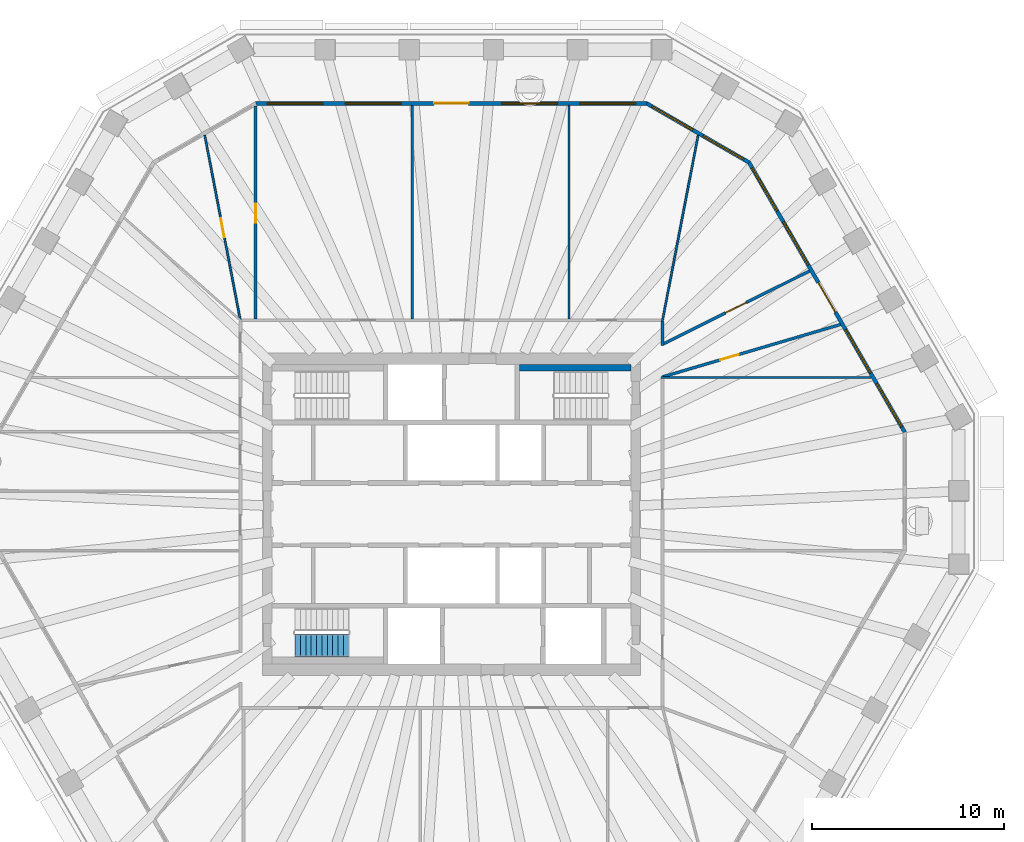
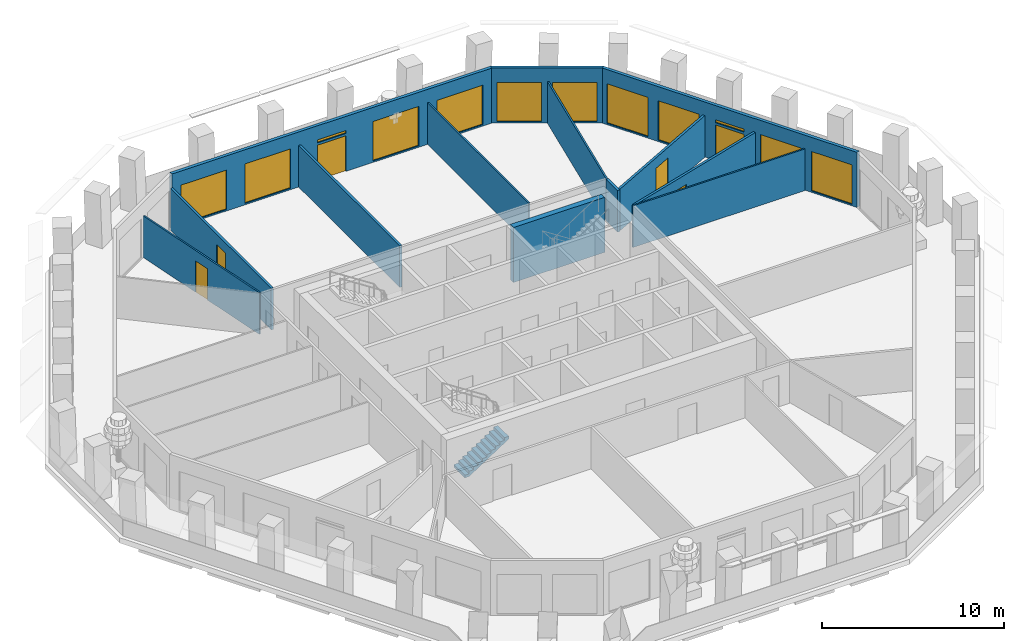
# One storey, part 7 of 12: 13 walls, 12 windows, 6 doors, 1 stair flight, 18 openings, 1 element without a shape of its own.
"""IFC4 building model written with IfcOpenShell, lengths in metres."""

from ifc_helpers import new_model, si_unit, direction, frame, frame_2d, origin, place, context, subcontext, project, spatial, polyline, rectangle, outline, extrude, material, layer, layer_set, type_object, element, fill, aggregate, save


model = new_model("IFC4")

# Units and contexts
model_context = context("Model", 3, precision=1e-05, world=origin(), true_north=direction((0.0, 1.0)))
body_context = subcontext(model_context, "Body", "Model", "MODEL_VIEW")
ifc_project = project(units=[si_unit("LENGTHUNIT", "METRE"), si_unit("AREAUNIT", "SQUARE_METRE"), si_unit("VOLUMEUNIT", "CUBIC_METRE"), si_unit("PLANEANGLEUNIT", "RADIAN"), si_unit("MASSUNIT", "GRAM", prefix="KILO")], contexts=[model_context])

# Site, building, storey
site_placement = place(None, origin())
site = spatial("IfcSite", under=ifc_project, at=site_placement, CompositionType="ELEMENT")
building_placement = place(site_placement, origin())
building = spatial("IfcBuilding", under=site, at=building_placement, Name="Frailejon Research Tower", CompositionType="ELEMENT")
storey_placement = place(building_placement, frame((0.0, 0.0, 249.39990234375)))
storey = spatial("IfcBuildingStorey", under=building, at=storey_placement, Name="L54", CompositionType="ELEMENT", Elevation=249.39990234375)

# Wall, opening, door
ifc_material_1 = material(Name="Gypsum board and masonry partition", Category="masonry")
ifc_layer_1 = layer(ifc_material_1, 0.14990234375)
ifc_layer_set_1 = layer_set([ifc_layer_1], Name="Corridor wall EI 60, gypsum on steel studs 150")
wall_type_1 = type_object("IfcWallType", Name="Corridor wall EI 60, gypsum on steel studs 150", PredefinedType="PARTITIONING", material=ifc_layer_set_1)
wall_1_placement = place(storey_placement, frame((11.0, 7.14990234375, 0.0), z_axis=(0.0, 0.0, 1.0), x_axis=(0.959291851816, 0.282416612542, 0.0)))
wall_1 = element("IfcWall", 1, at=wall_1_placement, inside=storey, type_object=wall_type_1, Name="T:IW:L54:001", PredefinedType="PARTITIONING", context=body_context, shape_type="SweptSolid", body=[
    extrude(rectangle(XDim=9.663818359375, YDim=0.14990234375, at=frame_2d((4.83203125, 0.0))), origin(), (0.0, 0.0, 1.0), 2.800048828125),
])
opening_1_placement = place(wall_1_placement, frame((3.13720703125, 0.0, 0.0)))
opening_1 = element("IfcOpeningElement", 2, at=opening_1_placement, cuts=wall_1, Name="Opening D2052", PredefinedType="OPENING", context=body_context, shape_type="SweptSolid", body=[
    extrude(rectangle(XDim=1.0, YDim=2.10009765625, at=frame_2d((0.5, 1.050048828125))), frame((0.0, 0.0849609375, 0.0), z_axis=(0.0, -1.0, 0.0), x_axis=(1.0, 0.0, 0.0)), (0.0, 0.0, 1.0), 0.169921875),
])
ifc_material_2 = material(Name="Timber door leaf", Category="wood")
door_type_1 = type_object("IfcDoorType", Name="Door single leaf, timber, steel frame 1000", OperationType="NOTDEFINED", PredefinedType="DOOR", material=ifc_material_2)
door_1_placement = place(opening_1_placement, origin())
door_1 = element("IfcDoor", 3, at=door_1_placement, inside=storey, type_object=door_type_1, Name="D2052", OperationType="SINGLE_SWING_RIGHT", OverallHeight=2.10009765625, OverallWidth=1.0, PredefinedType="DOOR", context=body_context, shape_type="SweptSolid", body=[
    extrude(rectangle(XDim=1.0, YDim=2.10009765625, at=frame_2d((0.5, 1.050048828125))), frame((0.0, 0.02490234375, 0.0), z_axis=(0.0, -1.0, 0.0), x_axis=(1.0, 0.0, 0.0)), (0.0, 0.0, 1.0), 0.050048828125),
])
fill(opening_1, door_1)

wall_2_placement = place(storey_placement, frame((11.067138671875, 8.883544921875, 0.0), z_axis=(0.0, 0.0, 1.0), x_axis=(0.895013465437, 0.44603912013, 0.0)))
wall_2 = element("IfcWall", 4, at=wall_2_placement, inside=storey, type_object=wall_type_1, Name="T:IW:L54:002", PredefinedType="PARTITIONING", context=body_context, shape_type="SweptSolid", body=[
    extrude(rectangle(XDim=8.48388671875, YDim=0.14990234375, at=frame_2d((4.241943359375, 0.0))), origin(), (0.0, 0.0, 1.0), 2.800048828125),
])
opening_2_placement = place(wall_2_placement, frame((3.6044921875, 0.0, 0.0)))
opening_2 = element("IfcOpeningElement", 5, at=opening_2_placement, cuts=wall_2, Name="Opening D2053", PredefinedType="OPENING", context=body_context, shape_type="SweptSolid", body=[
    extrude(rectangle(XDim=1.199951171875, YDim=2.10009765625, at=frame_2d((0.60009765625, 1.050048828125))), frame((0.0, 0.0849609375, 0.0), z_axis=(0.0, -1.0, 0.0), x_axis=(1.0, 0.0, 0.0)), (0.0, 0.0, 1.0), 0.169921875),
])
ifc_material_3 = material(Name="Timber door leaf", Category="wood")
door_type_2 = type_object("IfcDoorType", Name="Door single leaf, timber, steel frame 1200", OperationType="NOTDEFINED", PredefinedType="DOOR", material=ifc_material_3)
door_2_placement = place(opening_2_placement, origin())
door_2 = element("IfcDoor", 6, at=door_2_placement, inside=storey, type_object=door_type_2, Name="D2053", OperationType="DOUBLE_DOOR_SINGLE_SWING", OverallHeight=2.10009765625, OverallWidth=1.199951171875, PredefinedType="DOOR", context=body_context, shape_type="SweptSolid", body=[
    extrude(rectangle(XDim=1.199951171875, YDim=2.10009765625, at=frame_2d((0.60009765625, 1.050048828125))), frame((0.0, 0.02490234375, 0.0), z_axis=(0.0, -1.0, 0.0), x_axis=(1.0, 0.0, 0.0)), (0.0, 0.0, 1.0), 0.050048828125),
])
fill(opening_2, door_2)

# Walls
wall_3_placement = place(storey_placement, frame((11.0, 8.77490234375, 0.0), z_axis=(0.0, 0.0, 1.0), x_axis=(0.0, 1.0, 0.0)))
element("IfcWall", 7, at=wall_3_placement, inside=storey, type_object=wall_type_1, Name="T:IW:L54:006", PredefinedType="PARTITIONING", context=body_context, shape_type="SweptSolid", body=[
    extrude(rectangle(XDim=1.25, YDim=0.14990234375, at=frame_2d((0.625, 0.0))), origin(), (0.0, 0.0, 1.0), 2.800048828125),
])
ifc_material_4 = material(Name="Gypsum board and masonry partition", Category="masonry")
ifc_layer_2 = layer(ifc_material_4, 0.14990234375)
ifc_layer_set_2 = layer_set([ifc_layer_2], Name="Laboratory partition, blockwork 150")
wall_type_2 = type_object("IfcWallType", Name="Laboratory partition, blockwork 150", PredefinedType="PARTITIONING", material=ifc_layer_set_2)
wall_4_placement = place(storey_placement, frame((-2.041748046875, 10.175048828125, 0.0), z_axis=(0.0, 0.0, 1.0), x_axis=(0.0, 1.0, 0.0)))
element("IfcWall", 8, at=wall_4_placement, inside=storey, type_object=wall_type_2, Name="T:IW:L54:012", PredefinedType="PARTITIONING", context=body_context, shape_type="SweptSolid", body=[
    extrude(rectangle(XDim=11.125, YDim=0.14990234375, at=frame_2d((5.5625, 0.0))), origin(), (0.0, 0.0, 1.0), 2.800048828125),
])

# Wall, opening, door
wall_5_placement = place(storey_placement, frame((-10.20849609375, 10.175048828125, 0.0), z_axis=(0.0, 0.0, 1.0), x_axis=(0.0, 1.0, 0.0)))
wall_5 = element("IfcWall", 9, at=wall_5_placement, inside=storey, type_object=wall_type_2, Name="T:IW:L54:013", PredefinedType="PARTITIONING", context=body_context, shape_type="SweptSolid", body=[
    extrude(rectangle(XDim=11.093994140625, YDim=0.14990234375, at=frame_2d((5.546875, 0.0))), origin(), (0.0, 0.0, 1.0), 2.800048828125),
])
opening_3_placement = place(wall_5_placement, frame((5.009521484375, 0.0, 0.0)))
opening_3 = element("IfcOpeningElement", 10, at=opening_3_placement, cuts=wall_5, Name="Opening D2057", PredefinedType="OPENING", context=body_context, shape_type="SweptSolid", body=[
    extrude(rectangle(XDim=1.0, YDim=2.10009765625, at=frame_2d((0.5, 1.050048828125))), frame((0.0, 0.0849609375, 0.0), z_axis=(0.0, -1.0, 0.0), x_axis=(1.0, 0.0, 0.0)), (0.0, 0.0, 1.0), 0.169921875),
])
door_3_placement = place(opening_3_placement, origin())
door_3 = element("IfcDoor", 11, at=door_3_placement, inside=storey, type_object=door_type_1, Name="D2057", OperationType="SINGLE_SWING_LEFT", OverallHeight=2.10009765625, OverallWidth=1.0, PredefinedType="DOOR", context=body_context, shape_type="SweptSolid", body=[
    extrude(rectangle(XDim=1.0, YDim=2.10009765625, at=frame_2d((0.5, 1.050048828125))), frame((0.0, 0.02490234375, 0.0), z_axis=(0.0, -1.0, 0.0), x_axis=(1.0, 0.0, 0.0)), (0.0, 0.0, 1.0), 0.050048828125),
])
fill(opening_3, door_3)

# Walls
ifc_material_5 = material(Name="Gypsum board and masonry partition", Category="masonry")
ifc_layer_3 = layer(ifc_material_5, 0.10009765625)
ifc_layer_set_3 = layer_set([ifc_layer_3], Name="Partition, gypsum on steel studs 100")
wall_type_3 = type_object("IfcWallType", Name="Partition, gypsum on steel studs 100", PredefinedType="PARTITIONING", material=ifc_layer_set_3)
wall_6_placement = place(storey_placement, frame((10.925048828125, 7.1171875, 0.0), z_axis=(0.0, 0.0, 1.0), x_axis=(1.0, 0.0, 0.0)))
element("IfcWall", 12, at=wall_6_placement, inside=storey, type_object=wall_type_3, Name="T:IW:L54:018", PredefinedType="PARTITIONING", context=body_context, shape_type="SweptSolid", body=[
    extrude(rectangle(XDim=10.93994140625, YDim=0.10009765625, at=frame_2d((5.469970703125, 0.0))), origin(), (0.0, 0.0, 1.0), 2.800048828125),
])
wall_7_placement = place(storey_placement, frame((10.98583984375, 10.0263671875, 0.0), z_axis=(0.0, 0.0, 1.0), x_axis=(0.189067988583, 0.981963999184, 0.0)))
element("IfcWall", 13, at=wall_7_placement, inside=storey, type_object=wall_type_3, Name="T:IW:L54:019", PredefinedType="PARTITIONING", context=body_context, shape_type="SweptSolid", body=[
    extrude(rectangle(XDim=9.892578125, YDim=0.10009765625, at=frame_2d((4.9462890625, 0.0))), origin(), (0.0, 0.0, 1.0), 2.800048828125),
])
wall_8_placement = place(storey_placement, frame((6.125244140625, 10.175048828125, 0.0), z_axis=(0.0, 0.0, 1.0), x_axis=(0.0, 1.0, 0.0)))
element("IfcWall", 14, at=wall_8_placement, inside=storey, type_object=wall_type_3, Name="T:IW:L54:020", PredefinedType="PARTITIONING", context=body_context, shape_type="SweptSolid", body=[
    extrude(rectangle(XDim=11.125, YDim=0.10009765625, at=frame_2d((5.5625, 0.0))), origin(), (0.0, 0.0, 1.0), 2.800048828125),
])

# Wall, opening, door
wall_9_placement = place(storey_placement, frame((-12.856201171875, 19.740478515625, 0.0), z_axis=(0.0, 0.0, 1.0), x_axis=(0.189064323856, -0.981964704786, 0.0)))
wall_9 = element("IfcWall", 15, at=wall_9_placement, inside=storey, type_object=wall_type_3, Name="T:IW:L54:021", PredefinedType="PARTITIONING", context=body_context, shape_type="SweptSolid", body=[
    extrude(rectangle(XDim=9.767578125, YDim=0.10009765625, at=frame_2d((4.8837890625, 0.0))), origin(), (0.0, 0.0, 1.0), 2.800048828125),
])
opening_4_placement = place(wall_9_placement, frame((4.40869140625, 0.0, 0.0)))
opening_4 = element("IfcOpeningElement", 16, at=opening_4_placement, cuts=wall_9, Name="Opening D2058", PredefinedType="OPENING", context=body_context, shape_type="SweptSolid", body=[
    extrude(rectangle(XDim=1.0, YDim=2.10009765625, at=frame_2d((0.5, 1.050048828125))), frame((0.0, 0.06005859375, 0.0), z_axis=(0.0, -1.0, 0.0), x_axis=(1.0, 0.0, 0.0)), (0.0, 0.0, 1.0), 0.1201171875),
])
door_4_placement = place(opening_4_placement, origin())
door_4 = element("IfcDoor", 17, at=door_4_placement, inside=storey, type_object=door_type_1, Name="D2058", OperationType="SINGLE_SWING_RIGHT", OverallHeight=2.10009765625, OverallWidth=1.0, PredefinedType="DOOR", context=body_context, shape_type="SweptSolid", body=[
    extrude(rectangle(XDim=1.0, YDim=2.10009765625, at=frame_2d((0.5, 1.050048828125))), frame((0.0, 0.02490234375, 0.0), z_axis=(0.0, -1.0, 0.0), x_axis=(1.0, 0.0, 0.0)), (0.0, 0.0, 1.0), 0.050048828125),
])
fill(opening_4, door_4)

# Wall
ifc_material_6 = material(Name="Concrete C60/75", Category="concrete")
ifc_layer_4 = layer(ifc_material_6, 0.35009765625)
ifc_layer_set_4 = layer_set([ifc_layer_4], Name="Shaft wall 350 C60/75")
wall_type_4 = type_object("IfcWallType", Name="Shaft wall 350 C60/75", PredefinedType="SOLIDWALL", material=ifc_layer_set_4)
wall_10_placement = place(storey_placement, frame((3.550048828125, 7.625, 0.0), z_axis=(0.0, 0.0, 1.0), x_axis=(1.0, 0.0, 0.0)))
element("IfcWall", 18, at=wall_10_placement, inside=storey, type_object=wall_type_4, Name="Shaft wall", PredefinedType="SOLIDWALL", context=body_context, shape_type="SweptSolid", body=[
    extrude(rectangle(XDim=5.800048828125, YDim=0.35009765625, at=frame_2d((2.89990234375, 0.0))), origin(), (0.0, 0.0, 1.0), 3.7001953125),
])

# Wall, openings, door, windows
ifc_material_7 = material(Name="Concrete C40/50 precast window wall panel", Category="concrete")
ifc_layer_5 = layer(ifc_material_7, 0.199951171875)
ifc_layer_set_5 = layer_set([ifc_layer_5], Name="Window wall 200")
wall_type_5 = type_object("IfcWallType", Name="Window wall 200", PredefinedType="SOLIDWALL", material=ifc_layer_set_5)
wall_11_placement = place(storey_placement, frame((23.623779296875, 4.270751953125, 0.0), z_axis=(0.0, 0.0, 1.0), x_axis=(-0.499996823547, 0.866027237703, 0.0)))
wall_11 = element("IfcWall", 19, at=wall_11_placement, inside=storey, type_object=wall_type_5, Name="Exterior wall L54", PredefinedType="SOLIDWALL", context=body_context, shape_type="SweptSolid", body=[
    extrude(outline(polyline([(-0.02685546875, -0.10009765625), (0.99072265625, -0.10009765625), (2.00830078125, -0.10009765625), (3.025634765625, -0.10009765625), (4.043212890625, -0.10009765625), (5.060791015625, -0.10009765625), (6.078125, -0.10009765625), (7.095703125, -0.10009765625), (8.11328125, -0.10009765625), (9.130859375, -0.10009765625), (10.1484375, -0.10009765625), (11.165771484375, -0.10009765625), (12.183349609375, -0.10009765625), (13.200927734375, -0.10009765625), (14.21826171875, -0.10009765625), (15.23583984375, -0.10009765625), (16.25341796875, -0.10009765625), (16.19970703125, 0.10009765625), (15.18896484375, 0.10009765625), (14.17822265625, 0.10009765625), (13.167236328125, 0.10009765625), (12.156494140625, 0.10009765625), (11.145751953125, 0.10009765625), (10.134765625, 0.10009765625), (9.1240234375, 0.10009765625), (8.11328125, 0.10009765625), (7.1025390625, 0.10009765625), (6.091796875, 0.10009765625), (5.080810546875, 0.10009765625), (4.070068359375, 0.10009765625), (3.059326171875, 0.10009765625), (2.04833984375, 0.10009765625), (1.03759765625, 0.10009765625), (0.02685546875, 0.10009765625), (-0.02685546875, -0.10009765625)])), origin(), (0.0, 0.0, 1.0), 3.7001953125),
])
opening_5_placement = place(wall_11_placement, frame((0.32275390625, 0.0, 0.10009765625)))
opening_5 = element("IfcOpeningElement", 20, at=opening_5_placement, cuts=wall_11, Name="Opening W18", PredefinedType="OPENING", context=body_context, shape_type="SweptSolid", body=[
    extrude(rectangle(XDim=2.60009765625, YDim=2.64990234375, at=frame_2d((1.300048828125, 1.324951171875))), frame((0.0, 0.10986328125, 0.0), z_axis=(0.0, -1.0, 0.0), x_axis=(1.0, 0.0, 0.0)), (0.0, 0.0, 1.0), 0.219970703125),
])
opening_6_placement = place(wall_11_placement, frame((3.568115234375, 0.0, 0.10009765625)))
opening_6 = element("IfcOpeningElement", 21, at=opening_6_placement, cuts=wall_11, Name="Opening W18", PredefinedType="OPENING", context=body_context, shape_type="SweptSolid", body=[
    extrude(rectangle(XDim=2.60009765625, YDim=2.64990234375, at=frame_2d((1.300048828125, 1.324951171875))), frame((0.0, 0.10986328125, 0.0), z_axis=(0.0, -1.0, 0.0), x_axis=(1.0, 0.0, 0.0)), (0.0, 0.0, 1.0), 0.219970703125),
])
opening_7_placement = place(wall_11_placement, frame((7.21337890625, 0.0, 0.0)))
opening_7 = element("IfcOpeningElement", 22, at=opening_7_placement, cuts=wall_11, Name="Opening LG54-1", PredefinedType="OPENING", context=body_context, shape_type="SweptSolid", body=[
    extrude(rectangle(XDim=1.800048828125, YDim=2.39990234375, at=frame_2d((0.89990234375, 1.199951171875))), frame((0.0, 0.10986328125, 0.0), z_axis=(0.0, -1.0, 0.0), x_axis=(1.0, 0.0, 0.0)), (0.0, 0.0, 1.0), 0.219970703125),
])
opening_8_placement = place(wall_11_placement, frame((7.21337890625, 0.0, 2.550048828125)))
opening_8 = element("IfcOpeningElement", 23, at=opening_8_placement, cuts=wall_11, Name="Opening W19", PredefinedType="OPENING", context=body_context, shape_type="SweptSolid", body=[
    extrude(rectangle(XDim=1.800048828125, YDim=0.199951171875, at=frame_2d((0.89990234375, 0.10009765625))), frame((0.0, 0.10986328125, 0.0), z_axis=(0.0, -1.0, 0.0), x_axis=(1.0, 0.0, 0.0)), (0.0, 0.0, 1.0), 0.219970703125),
])
opening_9_placement = place(wall_11_placement, frame((10.058837890625, 0.0, 0.10009765625)))
opening_9 = element("IfcOpeningElement", 24, at=opening_9_placement, cuts=wall_11, Name="Opening W18", PredefinedType="OPENING", context=body_context, shape_type="SweptSolid", body=[
    extrude(rectangle(XDim=2.60009765625, YDim=2.64990234375, at=frame_2d((1.300048828125, 1.324951171875))), frame((0.0, 0.10986328125, 0.0), z_axis=(0.0, -1.0, 0.0), x_axis=(1.0, 0.0, 0.0)), (0.0, 0.0, 1.0), 0.219970703125),
])
opening_10_placement = place(wall_11_placement, frame((13.30419921875, 0.0, 0.10009765625)))
opening_10 = element("IfcOpeningElement", 25, at=opening_10_placement, cuts=wall_11, Name="Opening W18", PredefinedType="OPENING", context=body_context, shape_type="SweptSolid", body=[
    extrude(rectangle(XDim=2.60009765625, YDim=2.64990234375, at=frame_2d((1.300048828125, 1.324951171875))), frame((0.0, 0.10986328125, 0.0), z_axis=(0.0, -1.0, 0.0), x_axis=(1.0, 0.0, 0.0)), (0.0, 0.0, 1.0), 0.219970703125),
])
ifc_material_8 = material(Name="Aluminium framed glazed door leaf", Category="aluminium")
door_type_3 = type_object("IfcDoorType", Name="Loggia door 1800x2400", OperationType="DOUBLE_DOOR_SINGLE_SWING", PredefinedType="DOOR", material=ifc_material_8)
door_5_placement = place(opening_7_placement, origin())
door_5 = element("IfcDoor", 26, at=door_5_placement, inside=storey, type_object=door_type_3, Name="Door LG54-1", OperationType="DOUBLE_DOOR_SINGLE_SWING", OverallHeight=2.39990234375, OverallWidth=1.800048828125, PredefinedType="DOOR", context=body_context, shape_type="SweptSolid", body=[
    extrude(rectangle(XDim=1.800048828125, YDim=2.39990234375, at=frame_2d((0.89990234375, 1.199951171875))), frame((0.0, 0.02490234375, 0.0), z_axis=(0.0, -1.0, 0.0), x_axis=(1.0, 0.0, 0.0)), (0.0, 0.0, 1.0), 0.050048828125),
])
fill(opening_7, door_5)
ifc_material_9 = material(Name="Aluminium framed double glazing", Category="aluminium")
window_type_1 = type_object("IfcWindowType", Name="Window 1800x200", PartitioningType="SINGLE_PANEL", PredefinedType="WINDOW", material=ifc_material_9)
window_1_placement = place(opening_8_placement, origin())
window_1 = element("IfcWindow", 27, at=window_1_placement, inside=storey, type_object=window_type_1, Name="Window L54", OverallHeight=0.199951171875, OverallWidth=1.800048828125, PartitioningType="SINGLE_PANEL", PredefinedType="WINDOW", context=body_context, shape_type="SweptSolid", body=[
    extrude(rectangle(XDim=1.800048828125, YDim=0.199951171875, at=frame_2d((0.89990234375, 0.10009765625))), frame((0.0, 0.030029296875, 0.0), z_axis=(0.0, -1.0, 0.0), x_axis=(1.0, 0.0, 0.0)), (0.0, 0.0, 1.0), 0.06005859375),
])
fill(opening_8, window_1)
ifc_material_10 = material(Name="Aluminium framed double glazing", Category="aluminium")
window_type_2 = type_object("IfcWindowType", Name="Window 2600x2650", PartitioningType="SINGLE_PANEL", PredefinedType="WINDOW", material=ifc_material_10)
window_2_placement = place(opening_5_placement, origin())
window_2 = element("IfcWindow", 28, at=window_2_placement, inside=storey, type_object=window_type_2, Name="Window L54", OverallHeight=2.64990234375, OverallWidth=2.60009765625, PartitioningType="SINGLE_PANEL", PredefinedType="WINDOW", context=body_context, shape_type="SweptSolid", body=[
    extrude(rectangle(XDim=2.60009765625, YDim=2.64990234375, at=frame_2d((1.300048828125, 1.324951171875))), frame((0.0, 0.030029296875, 0.0), z_axis=(0.0, -1.0, 0.0), x_axis=(1.0, 0.0, 0.0)), (0.0, 0.0, 1.0), 0.06005859375),
])
fill(opening_5, window_2)
window_3_placement = place(opening_6_placement, origin())
window_3 = element("IfcWindow", 29, at=window_3_placement, inside=storey, type_object=window_type_2, Name="Window L54", OverallHeight=2.64990234375, OverallWidth=2.60009765625, PartitioningType="SINGLE_PANEL", PredefinedType="WINDOW", context=body_context, shape_type="SweptSolid", body=[
    extrude(rectangle(XDim=2.60009765625, YDim=2.64990234375, at=frame_2d((1.300048828125, 1.324951171875))), frame((0.0, 0.030029296875, 0.0), z_axis=(0.0, -1.0, 0.0), x_axis=(1.0, 0.0, 0.0)), (0.0, 0.0, 1.0), 0.06005859375),
])
fill(opening_6, window_3)
window_4_placement = place(opening_9_placement, origin())
window_4 = element("IfcWindow", 30, at=window_4_placement, inside=storey, type_object=window_type_2, Name="Window L54", OverallHeight=2.64990234375, OverallWidth=2.60009765625, PartitioningType="SINGLE_PANEL", PredefinedType="WINDOW", context=body_context, shape_type="SweptSolid", body=[
    extrude(rectangle(XDim=2.60009765625, YDim=2.64990234375, at=frame_2d((1.300048828125, 1.324951171875))), frame((0.0, 0.030029296875, 0.0), z_axis=(0.0, -1.0, 0.0), x_axis=(1.0, 0.0, 0.0)), (0.0, 0.0, 1.0), 0.06005859375),
])
fill(opening_9, window_4)
window_5_placement = place(opening_10_placement, origin())
window_5 = element("IfcWindow", 31, at=window_5_placement, inside=storey, type_object=window_type_2, Name="Window L54", OverallHeight=2.64990234375, OverallWidth=2.60009765625, PartitioningType="SINGLE_PANEL", PredefinedType="WINDOW", context=body_context, shape_type="SweptSolid", body=[
    extrude(rectangle(XDim=2.60009765625, YDim=2.64990234375, at=frame_2d((1.300048828125, 1.324951171875))), frame((0.0, 0.030029296875, 0.0), z_axis=(0.0, -1.0, 0.0), x_axis=(1.0, 0.0, 0.0)), (0.0, 0.0, 1.0), 0.06005859375),
])
fill(opening_10, window_5)

# Wall, openings, windows
wall_12_placement = place(storey_placement, frame((15.510498046875, 18.323486328125, 0.0), z_axis=(0.0, 0.0, 1.0), x_axis=(-0.866029647142, 0.499992650217, 0.0)))
wall_12 = element("IfcWall", 32, at=wall_12_placement, inside=storey, type_object=wall_type_5, Name="Exterior wall L54", PredefinedType="SOLIDWALL", context=body_context, shape_type="SweptSolid", body=[
    extrude(outline(polyline([(-0.02685546875, -0.10009765625), (1.007568359375, -0.10009765625), (2.0419921875, -0.10009765625), (3.076416015625, -0.10009765625), (4.11083984375, -0.10009765625), (5.145263671875, -0.10009765625), (6.1796875, -0.10009765625), (6.1259765625, 0.10009765625), (5.109375, 0.10009765625), (4.093017578125, 0.10009765625), (3.076416015625, 0.10009765625), (2.059814453125, 0.10009765625), (1.04345703125, 0.10009765625), (0.02685546875, 0.10009765625), (-0.02685546875, -0.10009765625)])), origin(), (0.0, 0.0, 1.0), 3.7001953125),
])
opening_11_placement = place(wall_12_placement, frame((0.313232421875, 0.0, 0.10009765625)))
opening_11 = element("IfcOpeningElement", 33, at=opening_11_placement, cuts=wall_12, Name="Opening W17", PredefinedType="OPENING", context=body_context, shape_type="SweptSolid", body=[
    extrude(rectangle(XDim=2.449951171875, YDim=2.64990234375, at=frame_2d((1.22509765625, 1.324951171875))), frame((0.0, 0.10986328125, 0.0), z_axis=(0.0, -1.0, 0.0), x_axis=(1.0, 0.0, 0.0)), (0.0, 0.0, 1.0), 0.219970703125),
])
opening_12_placement = place(wall_12_placement, frame((3.3896484375, 0.0, 0.10009765625)))
opening_12 = element("IfcOpeningElement", 34, at=opening_12_placement, cuts=wall_12, Name="Opening W17", PredefinedType="OPENING", context=body_context, shape_type="SweptSolid", body=[
    extrude(rectangle(XDim=2.449951171875, YDim=2.64990234375, at=frame_2d((1.22509765625, 1.324951171875))), frame((0.0, 0.10986328125, 0.0), z_axis=(0.0, -1.0, 0.0), x_axis=(1.0, 0.0, 0.0)), (0.0, 0.0, 1.0), 0.219970703125),
])
ifc_material_11 = material(Name="Aluminium framed double glazing", Category="aluminium")
window_type_3 = type_object("IfcWindowType", Name="Window 2450x2650", PartitioningType="SINGLE_PANEL", PredefinedType="WINDOW", material=ifc_material_11)
window_6_placement = place(opening_11_placement, origin())
window_6 = element("IfcWindow", 35, at=window_6_placement, inside=storey, type_object=window_type_3, Name="Window L54", OverallHeight=2.64990234375, OverallWidth=2.449951171875, PartitioningType="SINGLE_PANEL", PredefinedType="WINDOW", context=body_context, shape_type="SweptSolid", body=[
    extrude(rectangle(XDim=2.449951171875, YDim=2.64990234375, at=frame_2d((1.22509765625, 1.324951171875))), frame((0.0, 0.030029296875, 0.0), z_axis=(0.0, -1.0, 0.0), x_axis=(1.0, 0.0, 0.0)), (0.0, 0.0, 1.0), 0.06005859375),
])
fill(opening_11, window_6)
window_7_placement = place(opening_12_placement, origin())
window_7 = element("IfcWindow", 36, at=window_7_placement, inside=storey, type_object=window_type_3, Name="Window L54", OverallHeight=2.64990234375, OverallWidth=2.449951171875, PartitioningType="SINGLE_PANEL", PredefinedType="WINDOW", context=body_context, shape_type="SweptSolid", body=[
    extrude(rectangle(XDim=2.449951171875, YDim=2.64990234375, at=frame_2d((1.22509765625, 1.324951171875))), frame((0.0, 0.030029296875, 0.0), z_axis=(0.0, -1.0, 0.0), x_axis=(1.0, 0.0, 0.0)), (0.0, 0.0, 1.0), 0.06005859375),
])
fill(opening_12, window_7)

# Wall, openings, door, windows
wall_13_placement = place(storey_placement, frame((10.181884765625, 21.39990234375, 0.0), z_axis=(0.0, 0.0, 1.0), x_axis=(-1.0, 0.0, 0.0)))
wall_13 = element("IfcWall", 37, at=wall_13_placement, inside=storey, type_object=wall_type_5, Name="Exterior wall L54", PredefinedType="SOLIDWALL", context=body_context, shape_type="SweptSolid", body=[
    extrude(outline(polyline([(-0.02685546875, -0.10009765625), (0.994140625, -0.10009765625), (2.014892578125, -0.10009765625), (3.03564453125, -0.10009765625), (4.056640625, -0.10009765625), (5.07763671875, -0.10009765625), (6.098388671875, -0.10009765625), (7.119140625, -0.10009765625), (8.14013671875, -0.10009765625), (9.1611328125, -0.10009765625), (10.181884765625, -0.10009765625), (11.20263671875, -0.10009765625), (12.2236328125, -0.10009765625), (13.24462890625, -0.10009765625), (14.265380859375, -0.10009765625), (15.2861328125, -0.10009765625), (16.30712890625, -0.10009765625), (17.328125, -0.10009765625), (18.348876953125, -0.10009765625), (19.36962890625, -0.10009765625), (20.390625, -0.10009765625), (20.3369140625, 0.10009765625), (19.3212890625, 0.10009765625), (18.305908203125, 0.10009765625), (17.29052734375, 0.10009765625), (16.27490234375, 0.10009765625), (15.25927734375, 0.10009765625), (14.243896484375, 0.10009765625), (13.228515625, 0.10009765625), (12.212890625, 0.10009765625), (11.197265625, 0.10009765625), (10.181884765625, 0.10009765625), (9.16650390625, 0.10009765625), (8.15087890625, 0.10009765625), (7.13525390625, 0.10009765625), (6.119873046875, 0.10009765625), (5.1044921875, 0.10009765625), (4.0888671875, 0.10009765625), (3.0732421875, 0.10009765625), (2.057861328125, 0.10009765625), (1.04248046875, 0.10009765625), (0.02685546875, 0.10009765625), (-0.02685546875, -0.10009765625)])), origin(), (0.0, 0.0, 1.0), 3.7001953125),
])
opening_13_placement = place(wall_13_placement, frame((0.58642578125, 0.0, 0.10009765625)))
opening_13 = element("IfcOpeningElement", 38, at=opening_13_placement, cuts=wall_13, Name="Opening W20", PredefinedType="OPENING", context=body_context, shape_type="SweptSolid", body=[
    extrude(rectangle(XDim=2.89990234375, YDim=2.64990234375, at=frame_2d((1.449951171875, 1.324951171875))), frame((0.0, 0.10986328125, 0.0), z_axis=(0.0, -1.0, 0.0), x_axis=(1.0, 0.0, 0.0)), (0.0, 0.0, 1.0), 0.219970703125),
])
opening_14_placement = place(wall_13_placement, frame((4.6591796875, 0.0, 0.10009765625)))
opening_14 = element("IfcOpeningElement", 39, at=opening_14_placement, cuts=wall_13, Name="Opening W20", PredefinedType="OPENING", context=body_context, shape_type="SweptSolid", body=[
    extrude(rectangle(XDim=2.89990234375, YDim=2.64990234375, at=frame_2d((1.449951171875, 1.324951171875))), frame((0.0, 0.10986328125, 0.0), z_axis=(0.0, -1.0, 0.0), x_axis=(1.0, 0.0, 0.0)), (0.0, 0.0, 1.0), 0.219970703125),
])
opening_15_placement = place(wall_13_placement, frame((9.28173828125, 0.0, 0.0)))
opening_15 = element("IfcOpeningElement", 40, at=opening_15_placement, cuts=wall_13, Name="Opening LG54-2", PredefinedType="OPENING", context=body_context, shape_type="SweptSolid", body=[
    extrude(rectangle(XDim=1.800048828125, YDim=2.39990234375, at=frame_2d((0.89990234375, 1.199951171875))), frame((0.0, 0.10986328125, 0.0), z_axis=(0.0, -1.0, 0.0), x_axis=(1.0, 0.0, 0.0)), (0.0, 0.0, 1.0), 0.219970703125),
])
opening_16_placement = place(wall_13_placement, frame((9.28173828125, 0.0, 2.550048828125)))
opening_16 = element("IfcOpeningElement", 41, at=opening_16_placement, cuts=wall_13, Name="Opening W19", PredefinedType="OPENING", context=body_context, shape_type="SweptSolid", body=[
    extrude(rectangle(XDim=1.800048828125, YDim=0.199951171875, at=frame_2d((0.89990234375, 0.10009765625))), frame((0.0, 0.10986328125, 0.0), z_axis=(0.0, -1.0, 0.0), x_axis=(1.0, 0.0, 0.0)), (0.0, 0.0, 1.0), 0.219970703125),
])
opening_17_placement = place(wall_13_placement, frame((12.8046875, 0.0, 0.10009765625)))
opening_17 = element("IfcOpeningElement", 42, at=opening_17_placement, cuts=wall_13, Name="Opening W20", PredefinedType="OPENING", context=body_context, shape_type="SweptSolid", body=[
    extrude(rectangle(XDim=2.89990234375, YDim=2.64990234375, at=frame_2d((1.449951171875, 1.324951171875))), frame((0.0, 0.10986328125, 0.0), z_axis=(0.0, -1.0, 0.0), x_axis=(1.0, 0.0, 0.0)), (0.0, 0.0, 1.0), 0.219970703125),
])
opening_18_placement = place(wall_13_placement, frame((16.877197265625, 0.0, 0.10009765625)))
opening_18 = element("IfcOpeningElement", 43, at=opening_18_placement, cuts=wall_13, Name="Opening W20", PredefinedType="OPENING", context=body_context, shape_type="SweptSolid", body=[
    extrude(rectangle(XDim=2.89990234375, YDim=2.64990234375, at=frame_2d((1.449951171875, 1.324951171875))), frame((0.0, 0.10986328125, 0.0), z_axis=(0.0, -1.0, 0.0), x_axis=(1.0, 0.0, 0.0)), (0.0, 0.0, 1.0), 0.219970703125),
])
door_6_placement = place(opening_15_placement, origin())
door_6 = element("IfcDoor", 44, at=door_6_placement, inside=storey, type_object=door_type_3, Name="Door LG54-2", OperationType="DOUBLE_DOOR_SINGLE_SWING", OverallHeight=2.39990234375, OverallWidth=1.800048828125, PredefinedType="DOOR", context=body_context, shape_type="SweptSolid", body=[
    extrude(rectangle(XDim=1.800048828125, YDim=2.39990234375, at=frame_2d((0.89990234375, 1.199951171875))), frame((0.0, 0.02490234375, 0.0), z_axis=(0.0, -1.0, 0.0), x_axis=(1.0, 0.0, 0.0)), (0.0, 0.0, 1.0), 0.050048828125),
])
fill(opening_15, door_6)
window_8_placement = place(opening_16_placement, origin())
window_8 = element("IfcWindow", 45, at=window_8_placement, inside=storey, type_object=window_type_1, Name="Window L54", OverallHeight=0.199951171875, OverallWidth=1.800048828125, PartitioningType="SINGLE_PANEL", PredefinedType="WINDOW", context=body_context, shape_type="SweptSolid", body=[
    extrude(rectangle(XDim=1.800048828125, YDim=0.199951171875, at=frame_2d((0.89990234375, 0.10009765625))), frame((0.0, 0.030029296875, 0.0), z_axis=(0.0, -1.0, 0.0), x_axis=(1.0, 0.0, 0.0)), (0.0, 0.0, 1.0), 0.06005859375),
])
fill(opening_16, window_8)
ifc_material_12 = material(Name="Aluminium framed double glazing", Category="aluminium")
window_type_4 = type_object("IfcWindowType", Name="Window 2900x2650", PartitioningType="SINGLE_PANEL", PredefinedType="WINDOW", material=ifc_material_12)
window_9_placement = place(opening_13_placement, origin())
window_9 = element("IfcWindow", 46, at=window_9_placement, inside=storey, type_object=window_type_4, Name="Window L54", OverallHeight=2.64990234375, OverallWidth=2.89990234375, PartitioningType="SINGLE_PANEL", PredefinedType="WINDOW", context=body_context, shape_type="SweptSolid", body=[
    extrude(rectangle(XDim=2.89990234375, YDim=2.64990234375, at=frame_2d((1.449951171875, 1.324951171875))), frame((0.0, 0.030029296875, 0.0), z_axis=(0.0, -1.0, 0.0), x_axis=(1.0, 0.0, 0.0)), (0.0, 0.0, 1.0), 0.06005859375),
])
fill(opening_13, window_9)
window_10_placement = place(opening_14_placement, origin())
window_10 = element("IfcWindow", 47, at=window_10_placement, inside=storey, type_object=window_type_4, Name="Window L54", OverallHeight=2.64990234375, OverallWidth=2.89990234375, PartitioningType="SINGLE_PANEL", PredefinedType="WINDOW", context=body_context, shape_type="SweptSolid", body=[
    extrude(rectangle(XDim=2.89990234375, YDim=2.64990234375, at=frame_2d((1.449951171875, 1.324951171875))), frame((0.0, 0.030029296875, 0.0), z_axis=(0.0, -1.0, 0.0), x_axis=(1.0, 0.0, 0.0)), (0.0, 0.0, 1.0), 0.06005859375),
])
fill(opening_14, window_10)
window_11_placement = place(opening_17_placement, origin())
window_11 = element("IfcWindow", 48, at=window_11_placement, inside=storey, type_object=window_type_4, Name="Window L54", OverallHeight=2.64990234375, OverallWidth=2.89990234375, PartitioningType="SINGLE_PANEL", PredefinedType="WINDOW", context=body_context, shape_type="SweptSolid", body=[
    extrude(rectangle(XDim=2.89990234375, YDim=2.64990234375, at=frame_2d((1.449951171875, 1.324951171875))), frame((0.0, 0.030029296875, 0.0), z_axis=(0.0, -1.0, 0.0), x_axis=(1.0, 0.0, 0.0)), (0.0, 0.0, 1.0), 0.06005859375),
])
fill(opening_17, window_11)
window_12_placement = place(opening_18_placement, origin())
window_12 = element("IfcWindow", 49, at=window_12_placement, inside=storey, type_object=window_type_4, Name="Window L54", OverallHeight=2.64990234375, OverallWidth=2.89990234375, PartitioningType="SINGLE_PANEL", PredefinedType="WINDOW", context=body_context, shape_type="SweptSolid", body=[
    extrude(rectangle(XDim=2.89990234375, YDim=2.64990234375, at=frame_2d((1.449951171875, 1.324951171875))), frame((0.0, 0.030029296875, 0.0), z_axis=(0.0, -1.0, 0.0), x_axis=(1.0, 0.0, 0.0)), (0.0, 0.0, 1.0), 0.06005859375),
])
fill(opening_18, window_12)

# Stair, stair flight
ifc_material_13 = material(Name="Concrete C50/60", Category="concrete")
stair_type = type_object("IfcStairType", Name="Exit stair 22 risers", PredefinedType="HALF_TURN_STAIR", material=ifc_material_13)
stair_placement = place(storey_placement, origin())
stair = element("IfcStair", 50, at=stair_placement, inside=storey, type_object=stair_type, Name="L54 Exit stair ST2", PredefinedType="HALF_TURN_STAIR")
ifc_material_14 = material(Name="Concrete C50/60", Category="concrete")
ifc_layer_6 = layer(ifc_material_14, 0.14990234375)
ifc_layer_set_6 = layer_set([ifc_layer_6], Name="Stair flight 11 risers")
stair_flight_type = type_object("IfcStairFlightType", Name="Stair flight 11 risers", PredefinedType="STRAIGHT", material=ifc_layer_set_6)
stair_flight_placement = place(storey_placement, frame((-8.14990234375, -6.85009765625, 0.0), z_axis=(0.0, 0.0, 1.0), x_axis=(1.0, 0.0, 0.0)))
stair_flight = element("IfcStairFlight", 51, at=stair_flight_placement, type_object=stair_flight_type, Name="ST2 flight 1", NumberOfRisers=11, NumberOfTreads=10, PredefinedType="STRAIGHT", RiserHeight=0.181818182, TreadLength=0.28, context=body_context, shape_type="SweptSolid", body=[
    extrude(outline(polyline([(0.0, 0.0), (0.0, 0.181884765625), (0.280029296875, 0.181884765625), (0.280029296875, 0.363525390625), (0.56005859375, 0.363525390625), (0.56005859375, 0.54541015625), (0.840087890625, 0.54541015625), (0.840087890625, 0.727294921875), (1.1201171875, 0.727294921875), (1.1201171875, 0.9091796875), (1.39990234375, 0.9091796875), (1.39990234375, 1.0908203125), (1.679931640625, 1.0908203125), (1.679931640625, 1.272705078125), (1.9599609375, 1.272705078125), (1.9599609375, 1.45458984375), (2.239990234375, 1.45458984375), (2.239990234375, 1.636474609375), (2.52001953125, 1.636474609375), (2.52001953125, 1.818115234375), (2.800048828125, 1.818115234375), (2.800048828125, 2.0), (2.800048828125, 1.639404296875), (0.275146484375, 0.0), (0.0, 0.0)])), frame((0.0, 0.60009765625, 0.0), z_axis=(0.0, -1.0, 0.0), x_axis=(1.0, 0.0, 0.0)), (0.0, 0.0, 1.0), 1.199951171875),
])
aggregate(stair, [stair_flight])

save(model, "model.ifc")
